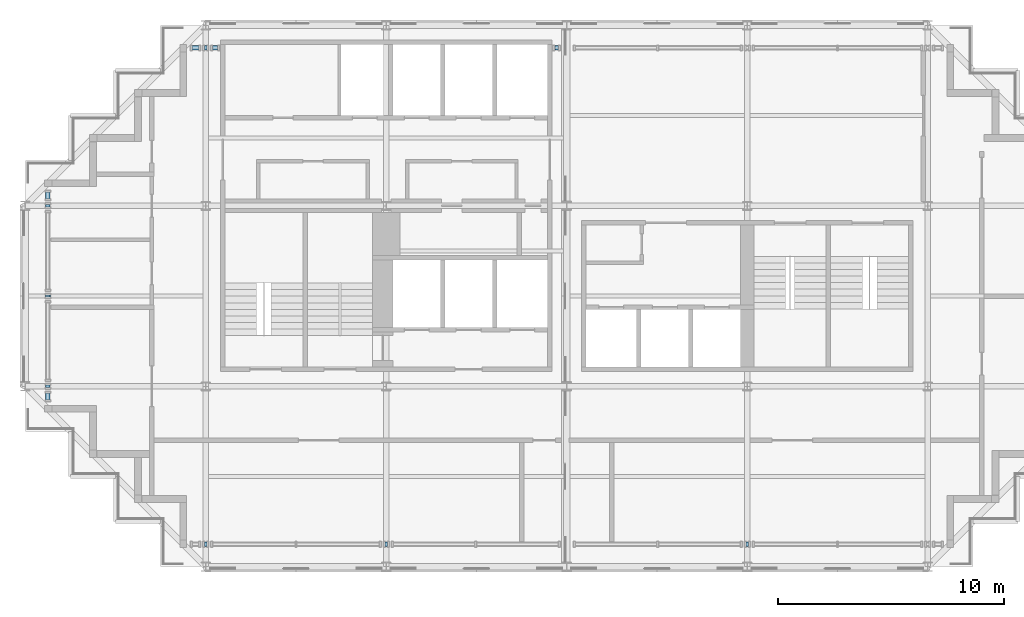
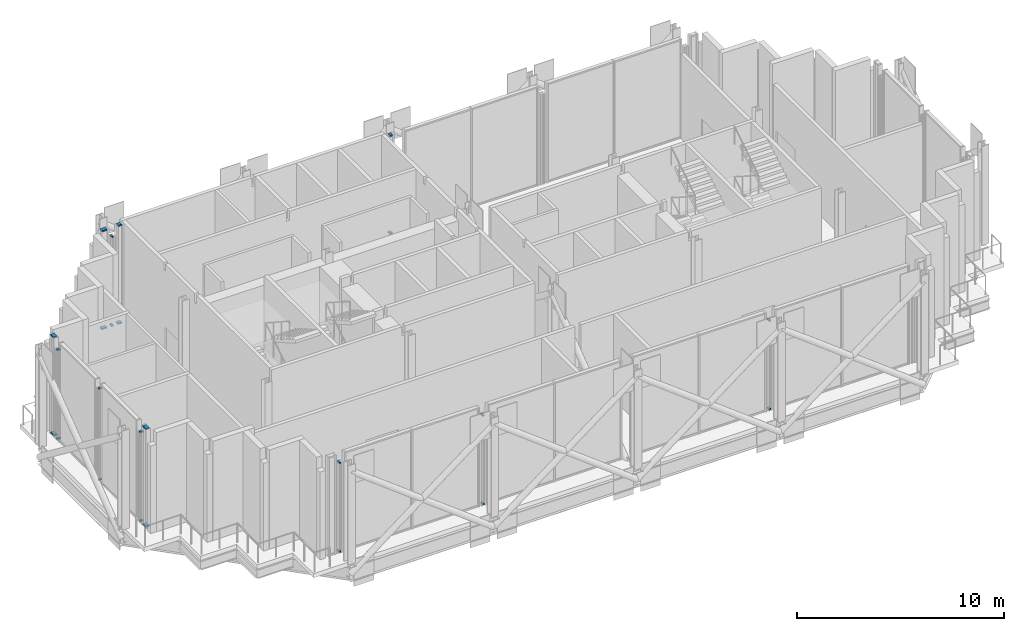
# One storey, part 5 of 16: 24 members, 12 elements without a shape of their own.
"""IFC4 building model written with IfcOpenShell, lengths in metres."""

from ifc_helpers import new_model, si_unit, direction, frame, origin, origin_2d, place, context, subcontext, project, spatial, rectangle, extrude, material, material_profile, profile_set, type_object, element, aggregate, save


model = new_model("IFC4")

# Units and contexts
model_context = context("Model", 3, precision=1e-05, world=origin(), true_north=direction((0.0, 1.0)))
body_context = subcontext(model_context, "Body", "Model", "MODEL_VIEW")
ifc_project = project(units=[si_unit("LENGTHUNIT", "METRE"), si_unit("AREAUNIT", "SQUARE_METRE"), si_unit("VOLUMEUNIT", "CUBIC_METRE"), si_unit("PLANEANGLEUNIT", "RADIAN"), si_unit("MASSUNIT", "GRAM", prefix="KILO")], contexts=[model_context])

# Site, building, storey
site_placement = place(None, origin())
site = spatial("IfcSite", under=ifc_project, at=site_placement, CompositionType="ELEMENT")
building_placement = place(site_placement, origin())
building = spatial("IfcBuilding", under=site, at=building_placement, Name="Immortelle Media Tower", CompositionType="ELEMENT")
storey_placement = place(building_placement, frame((0.0, 0.0, 241.0)))
storey = spatial("IfcBuildingStorey", under=building, at=storey_placement, Name="L52", CompositionType="ELEMENT", Elevation=241.0)

# Curtain wall, members
ifc_material_1 = material(Name="Aluminium curtain wall system", Category="aluminium")
curtain_wall_type = type_object("IfcCurtainWallType", Name="Plant louvre wall curtain wall", PredefinedType="NOTDEFINED", material=ifc_material_1)
curtain_wall_1_placement = place(storey_placement, origin())
curtain_wall_1 = element("IfcCurtainWall", 1, at=curtain_wall_1_placement, inside=storey, type_object=curtain_wall_type, Name="Plant louvre wall L52 S 7-3", PredefinedType="NOTDEFINED")
ifc_material_2 = material(Name="Aluminium 6063-T6", Category="aluminium")
ifc_material_profile = material_profile(ifc_material_2, rectangle(XDim=0.199951171875, YDim=0.080078125, at=origin_2d()), Name="AL 80x200")
ifc_profile_set = profile_set([ifc_material_profile], Name="Aluminium 6063-T6")
member_type = type_object("IfcMemberType", Name="Plant louvre wall transom 80 x 200", PredefinedType="USERDEFINED", material=ifc_profile_set)
member_1_placement = place(storey_placement, frame((7.946533203125, 1.0, 0.0400390625), z_axis=(1.0, 0.0, 0.0), x_axis=(0.0, 1.0, 0.0)))
member_1 = element("IfcMember", 2, at=member_1_placement, type_object=member_type, Name="CW6 transom 1.1", ObjectType="TRANSOM", PredefinedType="USERDEFINED", context=body_context, shape_type="SweptSolid", body=[
    extrude(rectangle(XDim=0.199951171875, YDim=0.080078125, at=origin_2d()), origin(), (0.0, 0.0, 1.0), 0.10693359375),
])
member_2_placement = place(storey_placement, frame((7.946533203125, 1.0, 5.2734375), z_axis=(1.0, 0.0, 0.0), x_axis=(0.0, 1.0, 0.0)))
member_2 = element("IfcMember", 3, at=member_2_placement, type_object=member_type, Name="CW6 transom 1.2", ObjectType="TRANSOM", PredefinedType="USERDEFINED", context=body_context, shape_type="SweptSolid", body=[
    extrude(rectangle(XDim=0.199951171875, YDim=0.080078125, at=origin_2d()), origin(), (0.0, 0.0, 1.0), 0.10693359375),
])
aggregate(curtain_wall_1, [member_1, member_2])

curtain_wall_2_placement = place(storey_placement, origin())
curtain_wall_2 = element("IfcCurtainWall", 4, at=curtain_wall_2_placement, inside=storey, type_object=curtain_wall_type, Name="Plant louvre wall L52 S 7-5", PredefinedType="NOTDEFINED")
member_3_placement = place(storey_placement, frame((15.946533203125, 1.0, 0.0400390625), z_axis=(1.0, 0.0, 0.0), x_axis=(0.0, 1.0, 0.0)))
member_3 = element("IfcMember", 5, at=member_3_placement, type_object=member_type, Name="CW6 transom 1.1", ObjectType="TRANSOM", PredefinedType="USERDEFINED", context=body_context, shape_type="SweptSolid", body=[
    extrude(rectangle(XDim=0.199951171875, YDim=0.080078125, at=origin_2d()), origin(), (0.0, 0.0, 1.0), 0.10693359375),
])
member_4_placement = place(storey_placement, frame((15.946533203125, 1.0, 5.2734375), z_axis=(1.0, 0.0, 0.0), x_axis=(0.0, 1.0, 0.0)))
member_4 = element("IfcMember", 6, at=member_4_placement, type_object=member_type, Name="CW6 transom 1.2", ObjectType="TRANSOM", PredefinedType="USERDEFINED", context=body_context, shape_type="SweptSolid", body=[
    extrude(rectangle(XDim=0.199951171875, YDim=0.080078125, at=origin_2d()), origin(), (0.0, 0.0, 1.0), 0.10693359375),
])
aggregate(curtain_wall_2, [member_3, member_4])

curtain_wall_3_placement = place(storey_placement, origin())
curtain_wall_3 = element("IfcCurtainWall", 7, at=curtain_wall_3_placement, inside=storey, type_object=curtain_wall_type, Name="Plant louvre wall L52 S 7-8", PredefinedType="NOTDEFINED")
member_5_placement = place(storey_placement, frame((31.946533203125, 1.0, 0.0400390625), z_axis=(1.0, 0.0, 0.0), x_axis=(0.0, 1.0, 0.0)))
member_5 = element("IfcMember", 8, at=member_5_placement, type_object=member_type, Name="CW6 transom 1.1", ObjectType="TRANSOM", PredefinedType="USERDEFINED", context=body_context, shape_type="SweptSolid", body=[
    extrude(rectangle(XDim=0.199951171875, YDim=0.080078125, at=origin_2d()), origin(), (0.0, 0.0, 1.0), 0.10693359375),
])
member_6_placement = place(storey_placement, frame((31.946533203125, 1.0, 5.2734375), z_axis=(1.0, 0.0, 0.0), x_axis=(0.0, 1.0, 0.0)))
member_6 = element("IfcMember", 9, at=member_6_placement, type_object=member_type, Name="CW6 transom 1.2", ObjectType="TRANSOM", PredefinedType="USERDEFINED", context=body_context, shape_type="SweptSolid", body=[
    extrude(rectangle(XDim=0.199951171875, YDim=0.080078125, at=origin_2d()), origin(), (0.0, 0.0, 1.0), 0.10693359375),
])
aggregate(curtain_wall_3, [member_5, member_6])

curtain_wall_4_placement = place(storey_placement, origin())
curtain_wall_4 = element("IfcCurtainWall", 10, at=curtain_wall_4_placement, inside=storey, type_object=curtain_wall_type, Name="Plant louvre wall L52 N 21-7", PredefinedType="NOTDEFINED")
member_7_placement = place(storey_placement, frame((23.634033203125, 23.0, 0.0400390625), z_axis=(-1.0, 0.0, 0.0), x_axis=(0.0, -1.0, 0.0)))
member_7 = element("IfcMember", 11, at=member_7_placement, type_object=member_type, Name="CW6 transom 1.1", ObjectType="TRANSOM", PredefinedType="USERDEFINED", context=body_context, shape_type="SweptSolid", body=[
    extrude(rectangle(XDim=0.199951171875, YDim=0.080078125, at=origin_2d()), origin(), (0.0, 0.0, 1.0), 0.16455078125),
])
member_8_placement = place(storey_placement, frame((23.634033203125, 23.0, 5.8095703125), z_axis=(-1.0, 0.0, 0.0), x_axis=(0.0, -1.0, 0.0)))
member_8 = element("IfcMember", 12, at=member_8_placement, type_object=member_type, Name="CW6 transom 1.2", ObjectType="TRANSOM", PredefinedType="USERDEFINED", context=body_context, shape_type="SweptSolid", body=[
    extrude(rectangle(XDim=0.199951171875, YDim=0.080078125, at=origin_2d()), origin(), (0.0, 0.0, 1.0), 0.16455078125),
])
aggregate(curtain_wall_4, [member_7, member_8])

curtain_wall_5_placement = place(storey_placement, origin())
curtain_wall_5 = element("IfcCurtainWall", 13, at=curtain_wall_5_placement, inside=storey, type_object=curtain_wall_type, Name="Plant louvre wall L52 N 21-8", PredefinedType="NOTDEFINED")
member_9_placement = place(storey_placement, frame((8.530517578125, 23.0, 0.0400390625), z_axis=(-1.0, 0.0, 0.0), x_axis=(0.0, -1.0, 0.0)))
member_9 = element("IfcMember", 14, at=member_9_placement, type_object=member_type, Name="CW6 transom 1.1", ObjectType="TRANSOM", PredefinedType="USERDEFINED", context=body_context, shape_type="SweptSolid", body=[
    extrude(rectangle(XDim=0.199951171875, YDim=0.080078125, at=origin_2d()), origin(), (0.0, 0.0, 1.0), 0.22705078125),
])
member_10_placement = place(storey_placement, frame((8.530517578125, 23.0, 5.8095703125), z_axis=(-1.0, 0.0, 0.0), x_axis=(0.0, -1.0, 0.0)))
member_10 = element("IfcMember", 15, at=member_10_placement, type_object=member_type, Name="CW6 transom 1.2", ObjectType="TRANSOM", PredefinedType="USERDEFINED", context=body_context, shape_type="SweptSolid", body=[
    extrude(rectangle(XDim=0.199951171875, YDim=0.080078125, at=origin_2d()), origin(), (0.0, 0.0, 1.0), 0.22705078125),
])
aggregate(curtain_wall_5, [member_9, member_10])

curtain_wall_6_placement = place(storey_placement, origin())
curtain_wall_6 = element("IfcCurtainWall", 16, at=curtain_wall_6_placement, inside=storey, type_object=curtain_wall_type, Name="Plant louvre wall L52 N 21-9", PredefinedType="NOTDEFINED")
member_11_placement = place(storey_placement, frame((8.053466796875, 23.0, 0.0400390625), z_axis=(-1.0, 0.0, 0.0), x_axis=(0.0, -1.0, 0.0)))
member_11 = element("IfcMember", 17, at=member_11_placement, type_object=member_type, Name="CW6 transom 1.1", ObjectType="TRANSOM", PredefinedType="USERDEFINED", context=body_context, shape_type="SweptSolid", body=[
    extrude(rectangle(XDim=0.199951171875, YDim=0.080078125, at=origin_2d()), origin(), (0.0, 0.0, 1.0), 0.10693359375),
])
member_12_placement = place(storey_placement, frame((8.053466796875, 23.0, 5.2734375), z_axis=(-1.0, 0.0, 0.0), x_axis=(0.0, -1.0, 0.0)))
member_12 = element("IfcMember", 18, at=member_12_placement, type_object=member_type, Name="CW6 transom 1.2", ObjectType="TRANSOM", PredefinedType="USERDEFINED", context=body_context, shape_type="SweptSolid", body=[
    extrude(rectangle(XDim=0.199951171875, YDim=0.080078125, at=origin_2d()), origin(), (0.0, 0.0, 1.0), 0.10693359375),
])
aggregate(curtain_wall_6, [member_11, member_12])

curtain_wall_7_placement = place(storey_placement, origin())
curtain_wall_7 = element("IfcCurtainWall", 19, at=curtain_wall_7_placement, inside=storey, type_object=curtain_wall_type, Name="Plant louvre wall L52 N 21-10", PredefinedType="NOTDEFINED")
member_13_placement = place(storey_placement, frame((7.696533203125, 23.0, 0.0400390625), z_axis=(-1.0, 0.0, 0.0), x_axis=(0.0, -1.0, 0.0)))
member_13 = element("IfcMember", 20, at=member_13_placement, type_object=member_type, Name="CW6 transom 1.1", ObjectType="TRANSOM", PredefinedType="USERDEFINED", context=body_context, shape_type="SweptSolid", body=[
    extrude(rectangle(XDim=0.199951171875, YDim=0.080078125, at=origin_2d()), origin(), (0.0, 0.0, 1.0), 0.297607421875),
])
member_14_placement = place(storey_placement, frame((7.696533203125, 23.0, 5.8095703125), z_axis=(-1.0, 0.0, 0.0), x_axis=(0.0, -1.0, 0.0)))
member_14 = element("IfcMember", 21, at=member_14_placement, type_object=member_type, Name="CW6 transom 1.2", ObjectType="TRANSOM", PredefinedType="USERDEFINED", context=body_context, shape_type="SweptSolid", body=[
    extrude(rectangle(XDim=0.199951171875, YDim=0.080078125, at=origin_2d()), origin(), (0.0, 0.0, 1.0), 0.297607421875),
])
aggregate(curtain_wall_7, [member_13, member_14])

curtain_wall_8_placement = place(storey_placement, origin())
curtain_wall_8 = element("IfcCurtainWall", 22, at=curtain_wall_8_placement, inside=storey, type_object=curtain_wall_type, Name="Plant louvre wall L52 W 28-2", PredefinedType="NOTDEFINED")
member_15_placement = place(storey_placement, frame((1.0, 16.60107421875, 0.0400390625), z_axis=(0.0, -1.0, 0.0), x_axis=(1.0, 0.0, 0.0)))
member_15 = element("IfcMember", 23, at=member_15_placement, type_object=member_type, Name="CW6 transom 1.1", ObjectType="TRANSOM", PredefinedType="USERDEFINED", context=body_context, shape_type="SweptSolid", body=[
    extrude(rectangle(XDim=0.199951171875, YDim=0.080078125, at=origin_2d()), origin(), (0.0, 0.0, 1.0), 0.297607421875),
])
member_16_placement = place(storey_placement, frame((1.0, 16.60107421875, 5.8095703125), z_axis=(0.0, -1.0, 0.0), x_axis=(1.0, 0.0, 0.0)))
member_16 = element("IfcMember", 24, at=member_16_placement, type_object=member_type, Name="CW6 transom 1.2", ObjectType="TRANSOM", PredefinedType="USERDEFINED", context=body_context, shape_type="SweptSolid", body=[
    extrude(rectangle(XDim=0.199951171875, YDim=0.080078125, at=origin_2d()), origin(), (0.0, 0.0, 1.0), 0.297607421875),
])
aggregate(curtain_wall_8, [member_15, member_16])

curtain_wall_9_placement = place(storey_placement, origin())
curtain_wall_9 = element("IfcCurtainWall", 25, at=curtain_wall_9_placement, inside=storey, type_object=curtain_wall_type, Name="Plant louvre wall L52 W 28-3", PredefinedType="NOTDEFINED")
member_17_placement = place(storey_placement, frame((1.0, 16.053466796875, 0.0400390625), z_axis=(0.0, -1.0, 0.0), x_axis=(1.0, 0.0, 0.0)))
member_17 = element("IfcMember", 26, at=member_17_placement, type_object=member_type, Name="CW6 transom 1.1", ObjectType="TRANSOM", PredefinedType="USERDEFINED", context=body_context, shape_type="SweptSolid", body=[
    extrude(rectangle(XDim=0.199951171875, YDim=0.080078125, at=origin_2d()), origin(), (0.0, 0.0, 1.0), 0.10693359375),
])
member_18_placement = place(storey_placement, frame((1.0, 16.053466796875, 5.2734375), z_axis=(0.0, -1.0, 0.0), x_axis=(1.0, 0.0, 0.0)))
member_18 = element("IfcMember", 27, at=member_18_placement, type_object=member_type, Name="CW6 transom 1.2", ObjectType="TRANSOM", PredefinedType="USERDEFINED", context=body_context, shape_type="SweptSolid", body=[
    extrude(rectangle(XDim=0.199951171875, YDim=0.080078125, at=origin_2d()), origin(), (0.0, 0.0, 1.0), 0.10693359375),
])
aggregate(curtain_wall_9, [member_17, member_18])

curtain_wall_10_placement = place(storey_placement, origin())
curtain_wall_10 = element("IfcCurtainWall", 28, at=curtain_wall_10_placement, inside=storey, type_object=curtain_wall_type, Name="Plant louvre wall L52 W 28-5", PredefinedType="NOTDEFINED")
member_19_placement = place(storey_placement, frame((1.0, 12.0400390625, 0.0400390625), z_axis=(0.0, -1.0, 0.0), x_axis=(1.0, 0.0, 0.0)))
member_19 = element("IfcMember", 29, at=member_19_placement, type_object=member_type, Name="CW6 transom 1.1", ObjectType="TRANSOM", PredefinedType="USERDEFINED", context=body_context, shape_type="SweptSolid", body=[
    extrude(rectangle(XDim=0.199951171875, YDim=0.080078125, at=origin_2d()), origin(), (0.0, 0.0, 1.0), 0.080078125),
])
member_20_placement = place(storey_placement, frame((1.0, 12.0400390625, 5.405517578125), z_axis=(0.0, -1.0, 0.0), x_axis=(1.0, 0.0, 0.0)))
member_20 = element("IfcMember", 30, at=member_20_placement, type_object=member_type, Name="CW6 transom 1.2", ObjectType="TRANSOM", PredefinedType="USERDEFINED", context=body_context, shape_type="SweptSolid", body=[
    extrude(rectangle(XDim=0.199951171875, YDim=0.080078125, at=origin_2d()), origin(), (0.0, 0.0, 1.0), 0.080078125),
])
aggregate(curtain_wall_10, [member_19, member_20])

curtain_wall_11_placement = place(storey_placement, origin())
curtain_wall_11 = element("IfcCurtainWall", 31, at=curtain_wall_11_placement, inside=storey, type_object=curtain_wall_type, Name="Plant louvre wall L52 W 28-7", PredefinedType="NOTDEFINED")
member_21_placement = place(storey_placement, frame((1.0, 8.053466796875, 0.0400390625), z_axis=(0.0, -1.0, 0.0), x_axis=(1.0, 0.0, 0.0)))
member_21 = element("IfcMember", 32, at=member_21_placement, type_object=member_type, Name="CW6 transom 1.1", ObjectType="TRANSOM", PredefinedType="USERDEFINED", context=body_context, shape_type="SweptSolid", body=[
    extrude(rectangle(XDim=0.199951171875, YDim=0.080078125, at=origin_2d()), origin(), (0.0, 0.0, 1.0), 0.10693359375),
])
member_22_placement = place(storey_placement, frame((1.0, 8.053466796875, 5.2734375), z_axis=(0.0, -1.0, 0.0), x_axis=(1.0, 0.0, 0.0)))
member_22 = element("IfcMember", 33, at=member_22_placement, type_object=member_type, Name="CW6 transom 1.2", ObjectType="TRANSOM", PredefinedType="USERDEFINED", context=body_context, shape_type="SweptSolid", body=[
    extrude(rectangle(XDim=0.199951171875, YDim=0.080078125, at=origin_2d()), origin(), (0.0, 0.0, 1.0), 0.10693359375),
])
aggregate(curtain_wall_11, [member_21, member_22])

curtain_wall_12_placement = place(storey_placement, origin())
curtain_wall_12 = element("IfcCurtainWall", 34, at=curtain_wall_12_placement, inside=storey, type_object=curtain_wall_type, Name="Plant louvre wall L52 W 28-8", PredefinedType="NOTDEFINED")
member_23_placement = place(storey_placement, frame((1.0, 7.696533203125, 0.0400390625), z_axis=(0.0, -1.0, 0.0), x_axis=(1.0, 0.0, 0.0)))
member_23 = element("IfcMember", 35, at=member_23_placement, type_object=member_type, Name="CW6 transom 1.1", ObjectType="TRANSOM", PredefinedType="USERDEFINED", context=body_context, shape_type="SweptSolid", body=[
    extrude(rectangle(XDim=0.199951171875, YDim=0.080078125, at=origin_2d()), origin(), (0.0, 0.0, 1.0), 0.297607421875),
])
member_24_placement = place(storey_placement, frame((1.0, 7.696533203125, 5.8095703125), z_axis=(0.0, -1.0, 0.0), x_axis=(1.0, 0.0, 0.0)))
member_24 = element("IfcMember", 36, at=member_24_placement, type_object=member_type, Name="CW6 transom 1.2", ObjectType="TRANSOM", PredefinedType="USERDEFINED", context=body_context, shape_type="SweptSolid", body=[
    extrude(rectangle(XDim=0.199951171875, YDim=0.080078125, at=origin_2d()), origin(), (0.0, 0.0, 1.0), 0.297607421875),
])
aggregate(curtain_wall_12, [member_23, member_24])

save(model, "model.ifc")
